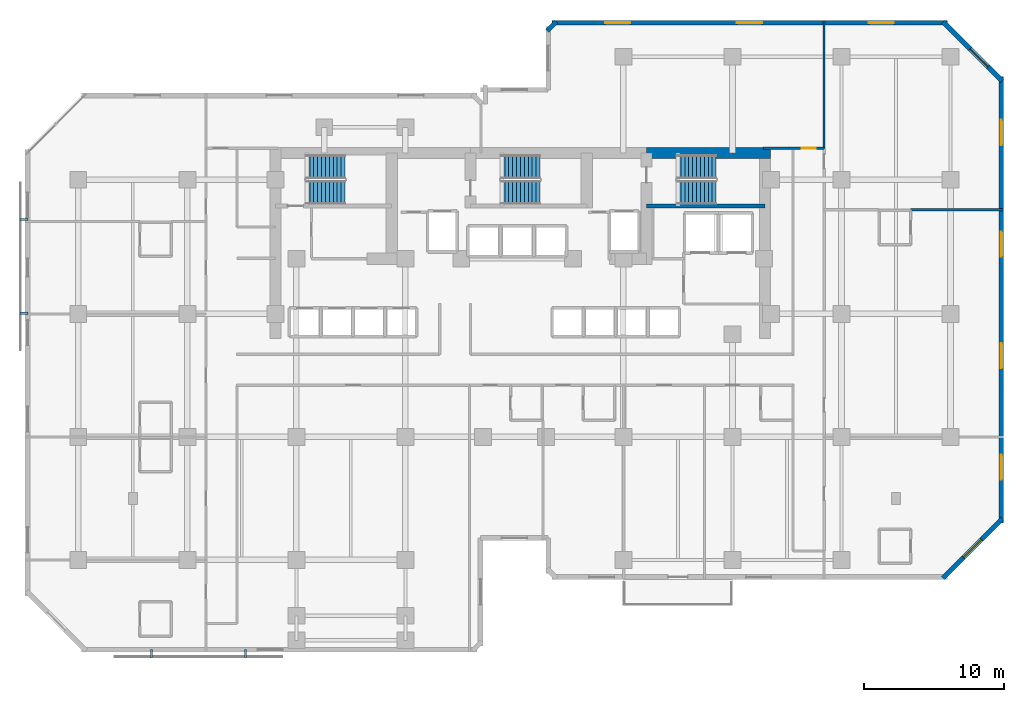
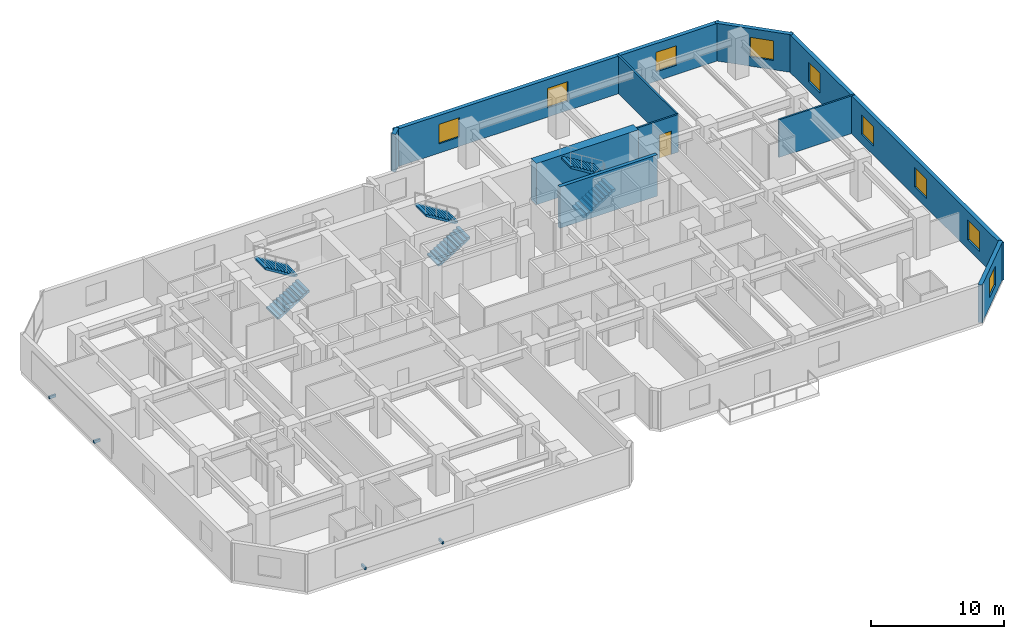
# One storey, part 9 of 11: 10 walls, 9 windows, 6 stair flights, 4 discrete accessories, 1 door, 10 openings, 3 elements without a shape of their own.
"""IFC4 building model written with IfcOpenShell, lengths in metres."""

from ifc_helpers import new_model, si_unit, direction, frame, frame_2d, origin, origin_2d, place, context, subcontext, project, spatial, polyline, rectangle, outline, extrude, material, layer, layer_set, type_object, element, fill, aggregate, save


model = new_model("IFC4")

# Units and contexts
model_context = context("Model", 3, precision=1e-05, world=origin(), true_north=direction((0.0, 1.0)))
body_context = subcontext(model_context, "Body", "Model", "MODEL_VIEW")
ifc_project = project(units=[si_unit("LENGTHUNIT", "METRE"), si_unit("AREAUNIT", "SQUARE_METRE"), si_unit("VOLUMEUNIT", "CUBIC_METRE"), si_unit("PLANEANGLEUNIT", "RADIAN"), si_unit("MASSUNIT", "GRAM", prefix="KILO")], contexts=[model_context])

# Site, building, storey
site_placement = place(None, origin())
site = spatial("IfcSite", under=ifc_project, at=site_placement, CompositionType="ELEMENT")
building_placement = place(site_placement, origin())
building = spatial("IfcBuilding", under=site, at=building_placement, Name="Kestravale Grand Hotel", CompositionType="ELEMENT")
storey_placement = place(building_placement, frame((0.0, 0.0, 126.0)))
storey = spatial("IfcBuildingStorey", under=building, at=storey_placement, Name="L31", CompositionType="ELEMENT", Elevation=126.0)

# Wall
ifc_material_1 = material(Name="Concrete f'c 60 MPa", Category="concrete")
ifc_layer_1 = layer(ifc_material_1, 0.800048828125)
ifc_layer_set_1 = layer_set([ifc_layer_1], Name="EW-CORE-800")
wall_type_1 = type_object("IfcWallType", Name="EW-CORE-800", PredefinedType="SHEAR", material=ifc_layer_set_1)
wall_1_placement = place(storey_placement, frame((48.449951171875, 40.320068359375, 0.0), z_axis=(0.0, 0.0, 1.0), x_axis=(1.0, 0.0, 0.0)))
element("IfcWall", 1, at=wall_1_placement, inside=storey, type_object=wall_type_1, Name="L31 core shear wall N3", PredefinedType="SHEAR", context=body_context, shape_type="SweptSolid", body=[
    extrude(rectangle(XDim=8.8701171875, YDim=0.800048828125, at=frame_2d((4.43505859375, 0.0))), origin(), (0.0, 0.0, 1.0), 3.800048828125),
])

# Wall, opening, window
ifc_material_2 = material(Name="Precast concrete f'c 45 MPa", Category="concrete")
ifc_layer_2 = layer(ifc_material_2, 0.340087890625)
ifc_layer_set_2 = layer_set([ifc_layer_2], Name="EW-PREC-340")
wall_type_2 = type_object("IfcWallType", Name="EW-PREC-340", PredefinedType="SOLIDWALL", material=ifc_layer_set_2)
wall_2_placement = place(storey_placement, frame((69.651611328125, 9.891845703125, 0.0), z_axis=(0.0, 0.0, 1.0), x_axis=(0.707106781187, 0.707106781187, 0.0)))
wall_2 = element("IfcWall", 2, at=wall_2_placement, inside=storey, type_object=wall_type_2, Name="L31 fluted precast facade wall 8", PredefinedType="SOLIDWALL", context=body_context, shape_type="SweptSolid", body=[
    extrude(rectangle(XDim=6.019775390625, YDim=0.340087890625, at=frame_2d((3.009765625, 0.0))), origin(), (0.0, 0.0, 1.0), 3.4599609375),
])
opening_1_placement = place(wall_2_placement, frame((2.10986328125, 0.0, 0.85009765625)))
opening_1 = element("IfcOpeningElement", 3, at=opening_1_placement, cuts=wall_2, Name="Opening W-GUEST-1800", PredefinedType="OPENING", context=body_context, shape_type="SweptSolid", body=[
    extrude(rectangle(XDim=1.800048828125, YDim=1.800048828125, at=frame_2d((0.89990234375, 0.89990234375))), frame((0.0, 0.179931640625, 0.0), z_axis=(0.0, -1.0, 0.0), x_axis=(1.0, 0.0, 0.0)), (0.0, 0.0, 1.0), 0.360107421875),
])
ifc_material_3 = material(Name="Insulated low-E double glazing in aluminium frame", Category="aluminium")
window_type = type_object("IfcWindowType", Name="W-GUEST-1800", PartitioningType="DOUBLE_PANEL_VERTICAL", PredefinedType="WINDOW", material=ifc_material_3)
window_1_placement = place(opening_1_placement, origin())
window_1 = element("IfcWindow", 4, at=window_1_placement, inside=storey, type_object=window_type, Name="L31 exterior window 8.1", OverallHeight=1.800048828125, OverallWidth=1.800048828125, PartitioningType="SINGLE_PANEL", PredefinedType="WINDOW", context=body_context, shape_type="SweptSolid", body=[
    extrude(rectangle(XDim=1.800048828125, YDim=1.800048828125, at=frame_2d((0.89990234375, 0.89990234375))), frame((0.0, 0.030029296875, 0.0), z_axis=(0.0, -1.0, 0.0), x_axis=(1.0, 0.0, 0.0)), (0.0, 0.0, 1.0), 0.06005859375),
])
fill(opening_1, window_1)

# Wall, openings, windows
wall_3_placement = place(storey_placement, frame((73.830078125, 13.830078125, 0.0), z_axis=(0.0, 0.0, 1.0), x_axis=(0.0, 1.0, 0.0)))
wall_3 = element("IfcWall", 5, at=wall_3_placement, inside=storey, type_object=wall_type_2, Name="L31 fluted precast facade wall 9", PredefinedType="SOLIDWALL", context=body_context, shape_type="SweptSolid", body=[
    extrude(rectangle(XDim=31.93994140625, YDim=0.340087890625, at=frame_2d((15.969970703125, 0.0))), origin(), (0.0, 0.0, 1.0), 3.4599609375),
])
opening_2_placement = place(wall_3_placement, frame((3.092529296875, 0.0, 0.85009765625)))
opening_2 = element("IfcOpeningElement", 6, at=opening_2_placement, cuts=wall_3, Name="Opening W-GUEST-1800", PredefinedType="OPENING", context=body_context, shape_type="SweptSolid", body=[
    extrude(rectangle(XDim=1.800048828125, YDim=1.800048828125, at=frame_2d((0.89990234375, 0.89990234375))), frame((0.0, 0.179931640625, 0.0), z_axis=(0.0, -1.0, 0.0), x_axis=(1.0, 0.0, 0.0)), (0.0, 0.0, 1.0), 0.360107421875),
])
opening_3_placement = place(wall_3_placement, frame((11.077392578125, 0.0, 0.85009765625)))
opening_3 = element("IfcOpeningElement", 7, at=opening_3_placement, cuts=wall_3, Name="Opening W-GUEST-1800", PredefinedType="OPENING", context=body_context, shape_type="SweptSolid", body=[
    extrude(rectangle(XDim=1.800048828125, YDim=1.800048828125, at=frame_2d((0.89990234375, 0.89990234375))), frame((0.0, 0.179931640625, 0.0), z_axis=(0.0, -1.0, 0.0), x_axis=(1.0, 0.0, 0.0)), (0.0, 0.0, 1.0), 0.360107421875),
])
opening_4_placement = place(wall_3_placement, frame((19.0625, 0.0, 0.85009765625)))
opening_4 = element("IfcOpeningElement", 8, at=opening_4_placement, cuts=wall_3, Name="Opening W-GUEST-1800", PredefinedType="OPENING", context=body_context, shape_type="SweptSolid", body=[
    extrude(rectangle(XDim=1.800048828125, YDim=1.800048828125, at=frame_2d((0.89990234375, 0.89990234375))), frame((0.0, 0.179931640625, 0.0), z_axis=(0.0, -1.0, 0.0), x_axis=(1.0, 0.0, 0.0)), (0.0, 0.0, 1.0), 0.360107421875),
])
opening_5_placement = place(wall_3_placement, frame((27.047607421875, 0.0, 0.85009765625)))
opening_5 = element("IfcOpeningElement", 9, at=opening_5_placement, cuts=wall_3, Name="Opening W-GUEST-1800", PredefinedType="OPENING", context=body_context, shape_type="SweptSolid", body=[
    extrude(rectangle(XDim=1.800048828125, YDim=1.800048828125, at=frame_2d((0.89990234375, 0.89990234375))), frame((0.0, 0.179931640625, 0.0), z_axis=(0.0, -1.0, 0.0), x_axis=(1.0, 0.0, 0.0)), (0.0, 0.0, 1.0), 0.360107421875),
])
window_2_placement = place(opening_2_placement, origin())
window_2 = element("IfcWindow", 10, at=window_2_placement, inside=storey, type_object=window_type, Name="L31 exterior window 9.1", OverallHeight=1.800048828125, OverallWidth=1.800048828125, PartitioningType="SINGLE_PANEL", PredefinedType="WINDOW", context=body_context, shape_type="SweptSolid", body=[
    extrude(rectangle(XDim=1.800048828125, YDim=1.800048828125, at=frame_2d((0.89990234375, 0.89990234375))), frame((0.0, 0.030029296875, 0.0), z_axis=(0.0, -1.0, 0.0), x_axis=(1.0, 0.0, 0.0)), (0.0, 0.0, 1.0), 0.06005859375),
])
fill(opening_2, window_2)
window_3_placement = place(opening_3_placement, origin())
window_3 = element("IfcWindow", 11, at=window_3_placement, inside=storey, type_object=window_type, Name="L31 exterior window 9.2", OverallHeight=1.800048828125, OverallWidth=1.800048828125, PartitioningType="SINGLE_PANEL", PredefinedType="WINDOW", context=body_context, shape_type="SweptSolid", body=[
    extrude(rectangle(XDim=1.800048828125, YDim=1.800048828125, at=frame_2d((0.89990234375, 0.89990234375))), frame((0.0, 0.030029296875, 0.0), z_axis=(0.0, -1.0, 0.0), x_axis=(1.0, 0.0, 0.0)), (0.0, 0.0, 1.0), 0.06005859375),
])
fill(opening_3, window_3)
window_4_placement = place(opening_4_placement, origin())
window_4 = element("IfcWindow", 12, at=window_4_placement, inside=storey, type_object=window_type, Name="L31 exterior window 9.3", OverallHeight=1.800048828125, OverallWidth=1.800048828125, PartitioningType="SINGLE_PANEL", PredefinedType="WINDOW", context=body_context, shape_type="SweptSolid", body=[
    extrude(rectangle(XDim=1.800048828125, YDim=1.800048828125, at=frame_2d((0.89990234375, 0.89990234375))), frame((0.0, 0.030029296875, 0.0), z_axis=(0.0, -1.0, 0.0), x_axis=(1.0, 0.0, 0.0)), (0.0, 0.0, 1.0), 0.06005859375),
])
fill(opening_4, window_4)
window_5_placement = place(opening_5_placement, origin())
window_5 = element("IfcWindow", 13, at=window_5_placement, inside=storey, type_object=window_type, Name="L31 exterior window 9.4", OverallHeight=1.800048828125, OverallWidth=1.800048828125, PartitioningType="SINGLE_PANEL", PredefinedType="WINDOW", context=body_context, shape_type="SweptSolid", body=[
    extrude(rectangle(XDim=1.800048828125, YDim=1.800048828125, at=frame_2d((0.89990234375, 0.89990234375))), frame((0.0, 0.030029296875, 0.0), z_axis=(0.0, -1.0, 0.0), x_axis=(1.0, 0.0, 0.0)), (0.0, 0.0, 1.0), 0.06005859375),
])
fill(opening_5, window_5)

# Wall, opening, window
wall_4_placement = place(storey_placement, frame((73.908203125, 45.451416015625, 0.0), z_axis=(0.0, 0.0, 1.0), x_axis=(-0.707106781187, 0.707106781187, 0.0)))
wall_4 = element("IfcWall", 14, at=wall_4_placement, inside=storey, type_object=wall_type_2, Name="L31 fluted precast facade wall 10", PredefinedType="SOLIDWALL", context=body_context, shape_type="SweptSolid", body=[
    extrude(rectangle(XDim=6.019775390625, YDim=0.340087890625, at=frame_2d((3.009765625, 0.0))), origin(), (0.0, 0.0, 1.0), 3.4599609375),
])
opening_6_placement = place(wall_4_placement, frame((1.4599609375, 0.0, 0.85009765625)))
opening_6 = element("IfcOpeningElement", 15, at=opening_6_placement, cuts=wall_4, Name="Opening W-GUEST-1800", PredefinedType="OPENING", context=body_context, shape_type="SweptSolid", body=[
    extrude(rectangle(XDim=1.800048828125, YDim=1.800048828125, at=frame_2d((0.89990234375, 0.89990234375))), frame((0.0, 0.179931640625, 0.0), z_axis=(0.0, -1.0, 0.0), x_axis=(1.0, 0.0, 0.0)), (0.0, 0.0, 1.0), 0.360107421875),
])
window_6_placement = place(opening_6_placement, origin())
window_6 = element("IfcWindow", 16, at=window_6_placement, inside=storey, type_object=window_type, Name="L31 exterior window 10.1", OverallHeight=1.800048828125, OverallWidth=1.800048828125, PartitioningType="SINGLE_PANEL", PredefinedType="WINDOW", context=body_context, shape_type="SweptSolid", body=[
    extrude(rectangle(XDim=1.800048828125, YDim=1.800048828125, at=frame_2d((0.89990234375, 0.89990234375))), frame((0.0, 0.030029296875, 0.0), z_axis=(0.0, -1.0, 0.0), x_axis=(1.0, 0.0, 0.0)), (0.0, 0.0, 1.0), 0.06005859375),
])
fill(opening_6, window_6)

# Wall, openings, windows
wall_5_placement = place(storey_placement, frame((69.969970703125, 49.6298828125, 0.0), z_axis=(0.0, 0.0, 1.0), x_axis=(-1.0, 0.0, 0.0)))
wall_5 = element("IfcWall", 17, at=wall_5_placement, inside=storey, type_object=wall_type_2, Name="L31 fluted precast facade wall 11", PredefinedType="SOLIDWALL", context=body_context, shape_type="SweptSolid", body=[
    extrude(rectangle(XDim=28.2900390625, YDim=0.340087890625, at=frame_2d((14.14501953125, 0.0))), origin(), (0.0, 0.0, 1.0), 3.4599609375),
])
opening_7_placement = place(wall_5_placement, frame((3.81494140625, 0.0, 0.85009765625)))
opening_7 = element("IfcOpeningElement", 18, at=opening_7_placement, cuts=wall_5, Name="Opening W-GUEST-1800", PredefinedType="OPENING", context=body_context, shape_type="SweptSolid", body=[
    extrude(rectangle(XDim=1.800048828125, YDim=1.800048828125, at=frame_2d((0.89990234375, 0.89990234375))), frame((0.0, 0.179931640625, 0.0), z_axis=(0.0, -1.0, 0.0), x_axis=(1.0, 0.0, 0.0)), (0.0, 0.0, 1.0), 0.360107421875),
])
opening_8_placement = place(wall_5_placement, frame((13.2451171875, 0.0, 0.85009765625)))
opening_8 = element("IfcOpeningElement", 19, at=opening_8_placement, cuts=wall_5, Name="Opening W-GUEST-1800", PredefinedType="OPENING", context=body_context, shape_type="SweptSolid", body=[
    extrude(rectangle(XDim=1.800048828125, YDim=1.800048828125, at=frame_2d((0.89990234375, 0.89990234375))), frame((0.0, 0.179931640625, 0.0), z_axis=(0.0, -1.0, 0.0), x_axis=(1.0, 0.0, 0.0)), (0.0, 0.0, 1.0), 0.360107421875),
])
opening_9_placement = place(wall_5_placement, frame((22.675048828125, 0.0, 0.85009765625)))
opening_9 = element("IfcOpeningElement", 20, at=opening_9_placement, cuts=wall_5, Name="Opening W-GUEST-1800", PredefinedType="OPENING", context=body_context, shape_type="SweptSolid", body=[
    extrude(rectangle(XDim=1.800048828125, YDim=1.800048828125, at=frame_2d((0.89990234375, 0.89990234375))), frame((0.0, 0.179931640625, 0.0), z_axis=(0.0, -1.0, 0.0), x_axis=(1.0, 0.0, 0.0)), (0.0, 0.0, 1.0), 0.360107421875),
])
window_7_placement = place(opening_7_placement, origin())
window_7 = element("IfcWindow", 21, at=window_7_placement, inside=storey, type_object=window_type, Name="L31 exterior window 11.1", OverallHeight=1.800048828125, OverallWidth=1.800048828125, PartitioningType="SINGLE_PANEL", PredefinedType="WINDOW", context=body_context, shape_type="SweptSolid", body=[
    extrude(rectangle(XDim=1.800048828125, YDim=1.800048828125, at=frame_2d((0.89990234375, 0.89990234375))), frame((0.0, 0.030029296875, 0.0), z_axis=(0.0, -1.0, 0.0), x_axis=(1.0, 0.0, 0.0)), (0.0, 0.0, 1.0), 0.06005859375),
])
fill(opening_7, window_7)
window_8_placement = place(opening_8_placement, origin())
window_8 = element("IfcWindow", 22, at=window_8_placement, inside=storey, type_object=window_type, Name="L31 exterior window 11.2", OverallHeight=1.800048828125, OverallWidth=1.800048828125, PartitioningType="SINGLE_PANEL", PredefinedType="WINDOW", context=body_context, shape_type="SweptSolid", body=[
    extrude(rectangle(XDim=1.800048828125, YDim=1.800048828125, at=frame_2d((0.89990234375, 0.89990234375))), frame((0.0, 0.030029296875, 0.0), z_axis=(0.0, -1.0, 0.0), x_axis=(1.0, 0.0, 0.0)), (0.0, 0.0, 1.0), 0.06005859375),
])
fill(opening_8, window_8)
window_9_placement = place(opening_9_placement, origin())
window_9 = element("IfcWindow", 23, at=window_9_placement, inside=storey, type_object=window_type, Name="L31 exterior window 11.3", OverallHeight=1.800048828125, OverallWidth=1.800048828125, PartitioningType="SINGLE_PANEL", PredefinedType="WINDOW", context=body_context, shape_type="SweptSolid", body=[
    extrude(rectangle(XDim=1.800048828125, YDim=1.800048828125, at=frame_2d((0.89990234375, 0.89990234375))), frame((0.0, 0.030029296875, 0.0), z_axis=(0.0, -1.0, 0.0), x_axis=(1.0, 0.0, 0.0)), (0.0, 0.0, 1.0), 0.06005859375),
])
fill(opening_9, window_9)

# Walls
wall_6_placement = place(storey_placement, frame((41.99853515625, 49.7080078125, 0.0), z_axis=(0.0, 0.0, 1.0), x_axis=(-0.707238225886, -0.706975312048, 0.0)))
element("IfcWall", 24, at=wall_6_placement, inside=storey, type_object=wall_type_2, Name="L31 fluted precast facade wall 12", PredefinedType="SOLIDWALL", context=body_context, shape_type="SweptSolid", body=[
    extrude(rectangle(XDim=0.9287109375, YDim=0.340087890625, at=frame_2d((0.46435546875, 0.0))), origin(), (0.0, 0.0, 1.0), 3.4599609375),
])
ifc_material_4 = material(Name="Concrete f'c 45 MPa", Category="concrete")
ifc_layer_3 = layer(ifc_material_4, 0.300048828125)
ifc_layer_set_3 = layer_set([ifc_layer_3], Name="EW-STAIR-300")
wall_type_3 = type_object("IfcWallType", Name="EW-STAIR-300", PredefinedType="SHEAR", material=ifc_layer_set_3)
wall_7_placement = place(storey_placement, frame((48.449951171875, 36.52001953125, 0.0), z_axis=(0.0, 0.0, 1.0), x_axis=(1.0, 0.0, 0.0)))
element("IfcWall", 25, at=wall_7_placement, inside=storey, type_object=wall_type_3, Name="L31 stair enclosure shear wall SST3", PredefinedType="SHEAR", context=body_context, shape_type="SweptSolid", body=[
    extrude(rectangle(XDim=8.469970703125, YDim=0.300048828125, at=frame_2d((4.23486328125, 0.0))), origin(), (0.0, 0.0, 1.0), 3.800048828125),
])

# Wall, opening, door
ifc_material_5 = material(Name="Double-stud STC 52 acoustic demising partition", Category="other")
ifc_layer_4 = layer(ifc_material_5, 0.14990234375)
ifc_layer_set_4 = layer_set([ifc_layer_4], Name="IW-UNIT-150")
wall_type_4 = type_object("IfcWallType", Name="IW-UNIT-150", PredefinedType="PARTITIONING", material=ifc_layer_set_4)
wall_8_placement = place(storey_placement, frame((56.800048828125, 40.64990234375, 0.0), z_axis=(0.0, 0.0, 1.0), x_axis=(1.0, 0.0, 0.0)))
wall_8 = element("IfcWall", 26, at=wall_8_placement, inside=storey, type_object=wall_type_4, Name="W-L31-SE-N", PredefinedType="PARTITIONING", context=body_context, shape_type="SweptSolid", body=[
    extrude(rectangle(XDim=4.35986328125, YDim=0.14990234375, at=frame_2d((2.179931640625, 0.0))), origin(), (0.0, 0.0, 1.0), 3.4599609375),
])
opening_10_placement = place(wall_8_placement, frame((2.75, 0.0, 0.0)))
opening_10 = element("IfcOpeningElement", 27, at=opening_10_placement, cuts=wall_8, Name="Opening D-GUEST-1000", PredefinedType="OPENING", context=body_context, shape_type="SweptSolid", body=[
    extrude(rectangle(XDim=1.0, YDim=2.14990234375, at=frame_2d((0.5, 1.074951171875))), frame((0.0, 0.0849609375, 0.0), z_axis=(0.0, -1.0, 0.0), x_axis=(1.0, 0.0, 0.0)), (0.0, 0.0, 1.0), 0.169921875),
])
ifc_material_6 = material(Name="Accessible walnut veneer hotel entrance fire door", Category="wood")
door_type = type_object("IfcDoorType", Name="D-GUEST-1000", OperationType="NOTDEFINED", PredefinedType="DOOR", material=ifc_material_6)
door_placement = place(opening_10_placement, origin())
door = element("IfcDoor", 28, at=door_placement, inside=storey, type_object=door_type, Name="L31 NE Gallery Door", OperationType="SINGLE_SWING_LEFT", OverallHeight=2.14990234375, OverallWidth=1.0, PredefinedType="DOOR", context=body_context, shape_type="SweptSolid", body=[
    extrude(rectangle(XDim=1.0, YDim=2.14990234375, at=frame_2d((0.5, 1.074951171875))), frame((0.0, 0.02490234375, 0.0), z_axis=(0.0, -1.0, 0.0), x_axis=(1.0, 0.0, 0.0)), (0.0, 0.0, 1.0), 0.050048828125),
])
fill(opening_10, door)

# Walls
wall_9_placement = place(storey_placement, frame((61.159912109375, 40.64990234375, 0.0), z_axis=(0.0, 0.0, 1.0), x_axis=(0.0, 1.0, 0.0)))
element("IfcWall", 29, at=wall_9_placement, inside=storey, type_object=wall_type_4, Name="W-L31-NGE-E", PredefinedType="PARTITIONING", context=body_context, shape_type="SweptSolid", body=[
    extrude(rectangle(XDim=9.130126953125, YDim=0.14990234375, at=frame_2d((4.56494140625, 0.0))), origin(), (0.0, 0.0, 1.0), 3.4599609375),
])
wall_10_placement = place(storey_placement, frame((67.35009765625, 36.25, 0.0), z_axis=(0.0, 0.0, 1.0), x_axis=(1.0, 0.0, 0.0)))
element("IfcWall", 30, at=wall_10_placement, inside=storey, type_object=wall_type_4, Name="W-L31-EW-2", PredefinedType="PARTITIONING", context=body_context, shape_type="SweptSolid", body=[
    extrude(rectangle(XDim=6.6298828125, YDim=0.14990234375, at=frame_2d((3.31494140625, 0.0))), origin(), (0.0, 0.0, 1.0), 3.4599609375),
])

# Stair, stair flights
ifc_material_7 = material(Name="Concrete f'c 45 MPa", Category="concrete")
stair_type = type_object("IfcStairType", Name="ST-CORE-380", PredefinedType="HALF_TURN_STAIR", material=ifc_material_7)
stair_1_placement = place(storey_placement, origin())
stair_1 = element("IfcStair", 31, at=stair_1_placement, inside=storey, type_object=stair_type, Name="L31 ST-1", PredefinedType="HALF_TURN_STAIR")
ifc_material_8 = material(Name="Concrete f'c 45 MPa", Category="concrete")
stair_flight_type = type_object("IfcStairFlightType", Name="STF-CORE-380", PredefinedType="STRAIGHT", material=ifc_material_8)
stair_flight_1_placement = place(storey_placement, frame((24.080078125, 37.489990234375, 0.0), z_axis=(0.0, 0.0, 1.0), x_axis=(1.0, 0.0, 0.0)))
stair_flight_1 = element("IfcStairFlight", 32, at=stair_flight_1_placement, type_object=stair_flight_type, Name="ST-1 flight 1", NumberOfRisers=11, NumberOfTreads=10, PredefinedType="STRAIGHT", RiserHeight=0.172727273, TreadLength=0.28, context=body_context, shape_type="SweptSolid", body=[
    extrude(outline(polyline([(0.0, 0.0), (0.0, 0.172607421875), (0.280029296875, 0.172607421875), (0.280029296875, 0.345458984375), (0.56005859375, 0.345458984375), (0.56005859375, 0.51806640625), (0.840087890625, 0.51806640625), (0.840087890625, 0.69091796875), (1.1201171875, 0.69091796875), (1.1201171875, 0.863525390625), (1.39990234375, 0.863525390625), (1.39990234375, 1.036376953125), (1.679931640625, 1.036376953125), (1.679931640625, 1.208984375), (1.9599609375, 1.208984375), (1.9599609375, 1.3818359375), (2.239990234375, 1.3818359375), (2.239990234375, 1.554443359375), (2.52001953125, 1.554443359375), (2.52001953125, 1.727294921875), (2.800048828125, 1.727294921875), (2.800048828125, 1.89990234375), (2.800048828125, 1.551025390625), (0.285400390625, 0.0), (0.0, 0.0)])), frame((0.0, 0.83984375, 0.0), z_axis=(0.0, -1.0, 0.0), x_axis=(1.0, 0.0, 0.0)), (0.0, 0.0, 1.0), 1.679931640625),
])
stair_flight_2_placement = place(storey_placement, frame((26.8798828125, 39.320068359375, 1.89990234375), z_axis=(0.0, 0.0, 1.0), x_axis=(-1.0, 0.0, 0.0)))
stair_flight_2 = element("IfcStairFlight", 33, at=stair_flight_2_placement, type_object=stair_flight_type, Name="ST-1 flight 2", NumberOfRisers=11, NumberOfTreads=10, PredefinedType="STRAIGHT", RiserHeight=0.172727273, TreadLength=0.28, context=body_context, shape_type="SweptSolid", body=[
    extrude(outline(polyline([(0.0, 0.0), (0.0, 0.172607421875), (0.280029296875, 0.172607421875), (0.280029296875, 0.345458984375), (0.56005859375, 0.345458984375), (0.56005859375, 0.51806640625), (0.840087890625, 0.51806640625), (0.840087890625, 0.69091796875), (1.1201171875, 0.69091796875), (1.1201171875, 0.863525390625), (1.39990234375, 0.863525390625), (1.39990234375, 1.036376953125), (1.679931640625, 1.036376953125), (1.679931640625, 1.208984375), (1.9599609375, 1.208984375), (1.9599609375, 1.3818359375), (2.239990234375, 1.3818359375), (2.239990234375, 1.554443359375), (2.52001953125, 1.554443359375), (2.52001953125, 1.727294921875), (2.800048828125, 1.727294921875), (2.800048828125, 1.89990234375), (2.800048828125, 1.551025390625), (0.285400390625, 0.0), (0.0, 0.0)])), frame((0.0, 0.83984375, 0.0), z_axis=(0.0, -1.0, 0.0), x_axis=(1.0, 0.0, 0.0)), (0.0, 0.0, 1.0), 1.679931640625),
])
aggregate(stair_1, [stair_flight_1, stair_flight_2])

stair_2_placement = place(storey_placement, origin())
stair_2 = element("IfcStair", 34, at=stair_2_placement, inside=storey, type_object=stair_type, Name="L31 ST-2", PredefinedType="HALF_TURN_STAIR")
stair_flight_3_placement = place(storey_placement, frame((38.030029296875, 37.489990234375, 0.0), z_axis=(0.0, 0.0, 1.0), x_axis=(1.0, 0.0, 0.0)))
stair_flight_3 = element("IfcStairFlight", 35, at=stair_flight_3_placement, type_object=stair_flight_type, Name="ST-2 flight 1", NumberOfRisers=11, NumberOfTreads=10, PredefinedType="STRAIGHT", RiserHeight=0.172727273, TreadLength=0.28, context=body_context, shape_type="SweptSolid", body=[
    extrude(outline(polyline([(0.0, 0.0), (0.0, 0.172607421875), (0.280029296875, 0.172607421875), (0.280029296875, 0.345458984375), (0.56005859375, 0.345458984375), (0.56005859375, 0.51806640625), (0.840087890625, 0.51806640625), (0.840087890625, 0.69091796875), (1.1201171875, 0.69091796875), (1.1201171875, 0.863525390625), (1.39990234375, 0.863525390625), (1.39990234375, 1.036376953125), (1.679931640625, 1.036376953125), (1.679931640625, 1.208984375), (1.9599609375, 1.208984375), (1.9599609375, 1.3818359375), (2.239990234375, 1.3818359375), (2.239990234375, 1.554443359375), (2.52001953125, 1.554443359375), (2.52001953125, 1.727294921875), (2.800048828125, 1.727294921875), (2.800048828125, 1.89990234375), (2.800048828125, 1.551025390625), (0.285400390625, 0.0), (0.0, 0.0)])), frame((0.0, 0.83984375, 0.0), z_axis=(0.0, -1.0, 0.0), x_axis=(1.0, 0.0, 0.0)), (0.0, 0.0, 1.0), 1.679931640625),
])
stair_flight_4_placement = place(storey_placement, frame((40.830078125, 39.320068359375, 1.89990234375), z_axis=(0.0, 0.0, 1.0), x_axis=(-1.0, 0.0, 0.0)))
stair_flight_4 = element("IfcStairFlight", 36, at=stair_flight_4_placement, type_object=stair_flight_type, Name="ST-2 flight 2", NumberOfRisers=11, NumberOfTreads=10, PredefinedType="STRAIGHT", RiserHeight=0.172727273, TreadLength=0.28, context=body_context, shape_type="SweptSolid", body=[
    extrude(outline(polyline([(0.0, 0.0), (0.0, 0.172607421875), (0.280029296875, 0.172607421875), (0.280029296875, 0.345458984375), (0.56005859375, 0.345458984375), (0.56005859375, 0.51806640625), (0.840087890625, 0.51806640625), (0.840087890625, 0.69091796875), (1.1201171875, 0.69091796875), (1.1201171875, 0.863525390625), (1.39990234375, 0.863525390625), (1.39990234375, 1.036376953125), (1.679931640625, 1.036376953125), (1.679931640625, 1.208984375), (1.9599609375, 1.208984375), (1.9599609375, 1.3818359375), (2.239990234375, 1.3818359375), (2.239990234375, 1.554443359375), (2.52001953125, 1.554443359375), (2.52001953125, 1.727294921875), (2.800048828125, 1.727294921875), (2.800048828125, 1.89990234375), (2.800048828125, 1.551025390625), (0.285400390625, 0.0), (0.0, 0.0)])), frame((0.0, 0.83984375, 0.0), z_axis=(0.0, -1.0, 0.0), x_axis=(1.0, 0.0, 0.0)), (0.0, 0.0, 1.0), 1.679931640625),
])
aggregate(stair_2, [stair_flight_3, stair_flight_4])

stair_3_placement = place(storey_placement, origin())
stair_3 = element("IfcStair", 37, at=stair_3_placement, inside=storey, type_object=stair_type, Name="L31 ST-3", PredefinedType="HALF_TURN_STAIR")
stair_flight_5_placement = place(storey_placement, frame((50.6298828125, 37.489990234375, 0.0), z_axis=(0.0, 0.0, 1.0), x_axis=(1.0, 0.0, 0.0)))
stair_flight_5 = element("IfcStairFlight", 38, at=stair_flight_5_placement, type_object=stair_flight_type, Name="ST-3 flight 1", NumberOfRisers=11, NumberOfTreads=10, PredefinedType="STRAIGHT", RiserHeight=0.172727273, TreadLength=0.28, context=body_context, shape_type="SweptSolid", body=[
    extrude(outline(polyline([(0.0, 0.0), (0.0, 0.172607421875), (0.280029296875, 0.172607421875), (0.280029296875, 0.345458984375), (0.56005859375, 0.345458984375), (0.56005859375, 0.51806640625), (0.840087890625, 0.51806640625), (0.840087890625, 0.69091796875), (1.1201171875, 0.69091796875), (1.1201171875, 0.863525390625), (1.39990234375, 0.863525390625), (1.39990234375, 1.036376953125), (1.679931640625, 1.036376953125), (1.679931640625, 1.208984375), (1.9599609375, 1.208984375), (1.9599609375, 1.3818359375), (2.239990234375, 1.3818359375), (2.239990234375, 1.554443359375), (2.52001953125, 1.554443359375), (2.52001953125, 1.727294921875), (2.800048828125, 1.727294921875), (2.800048828125, 1.89990234375), (2.800048828125, 1.551025390625), (0.285400390625, 0.0), (0.0, 0.0)])), frame((0.0, 0.83984375, 0.0), z_axis=(0.0, -1.0, 0.0), x_axis=(1.0, 0.0, 0.0)), (0.0, 0.0, 1.0), 1.679931640625),
])
stair_flight_6_placement = place(storey_placement, frame((53.429931640625, 39.320068359375, 1.89990234375), z_axis=(0.0, 0.0, 1.0), x_axis=(-1.0, 0.0, 0.0)))
stair_flight_6 = element("IfcStairFlight", 39, at=stair_flight_6_placement, type_object=stair_flight_type, Name="ST-3 flight 2", NumberOfRisers=11, NumberOfTreads=10, PredefinedType="STRAIGHT", RiserHeight=0.172727273, TreadLength=0.28, context=body_context, shape_type="SweptSolid", body=[
    extrude(outline(polyline([(0.0, 0.0), (0.0, 0.172607421875), (0.280029296875, 0.172607421875), (0.280029296875, 0.345458984375), (0.56005859375, 0.345458984375), (0.56005859375, 0.51806640625), (0.840087890625, 0.51806640625), (0.840087890625, 0.69091796875), (1.1201171875, 0.69091796875), (1.1201171875, 0.863525390625), (1.39990234375, 0.863525390625), (1.39990234375, 1.036376953125), (1.679931640625, 1.036376953125), (1.679931640625, 1.208984375), (1.9599609375, 1.208984375), (1.9599609375, 1.3818359375), (2.239990234375, 1.3818359375), (2.239990234375, 1.554443359375), (2.52001953125, 1.554443359375), (2.52001953125, 1.727294921875), (2.800048828125, 1.727294921875), (2.800048828125, 1.89990234375), (2.800048828125, 1.551025390625), (0.285400390625, 0.0), (0.0, 0.0)])), frame((0.0, 0.83984375, 0.0), z_axis=(0.0, -1.0, 0.0), x_axis=(1.0, 0.0, 0.0)), (0.0, 0.0, 1.0), 1.679931640625),
])
aggregate(stair_3, [stair_flight_5, stair_flight_6])

# Discrete accessories
ifc_material_9 = material(Name="Steel ASTM A572 Grade 50 hot-dip galvanised bracket", Category="steel")
discrete_accessory_type = type_object("IfcDiscreteAccessoryType", Name="ACC-BRK-STL", PredefinedType="BRACKET", material=ifc_material_9)
for number, where, z_axis, x_axis, name in (
    (40, (13.0400390625, 4.5048828125, 0.56005859375), (0.0, 0.0, 1.0), (1.0, 0.0, 0.0), "L31 solar screen standoff bracket 1"),
    (41, (19.760009765625, 4.5048828125, 0.56005859375), (0.0, 0.0, 1.0), (1.0, 0.0, 0.0), "L31 solar screen standoff bracket 2"),
    (42, (3.905029296875, 35.56005859375, 0.56005859375), (0.0, 0.0, 1.0), (0.0, -1.0, 0.0), "L31 solar screen standoff bracket 1"),
    (43, (3.905029296875, 28.840087890625, 0.56005859375), (0.0, 0.0, 1.0), (0.0, -1.0, 0.0), "L31 solar screen standoff bracket 2"),
):
    element("IfcDiscreteAccessory", number, at=place(storey_placement, frame(where, z_axis=z_axis, x_axis=x_axis)), inside=storey, type_object=discrete_accessory_type, Name=name, PredefinedType="BRACKET", context=body_context, shape_type="SweptSolid", body=[
        extrude(rectangle(XDim=0.159912109375, YDim=0.56005859375, at=origin_2d()), origin(), (0.0, 0.0, 1.0), 0.239990234375),
    ])

save(model, "model.ifc")
